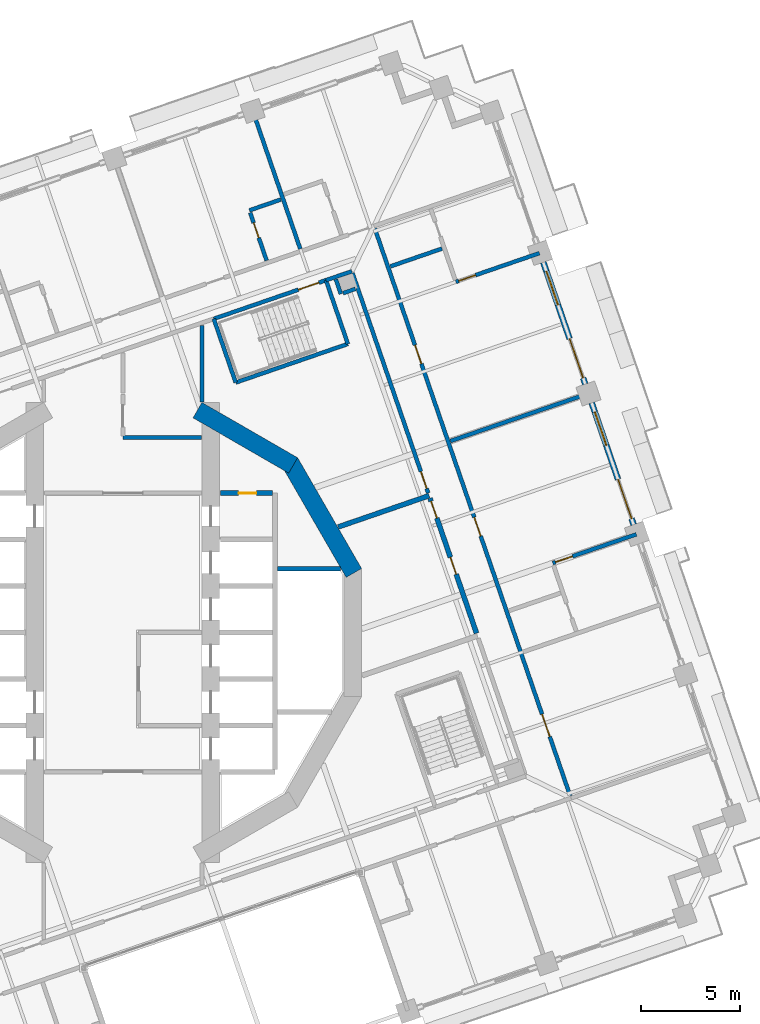
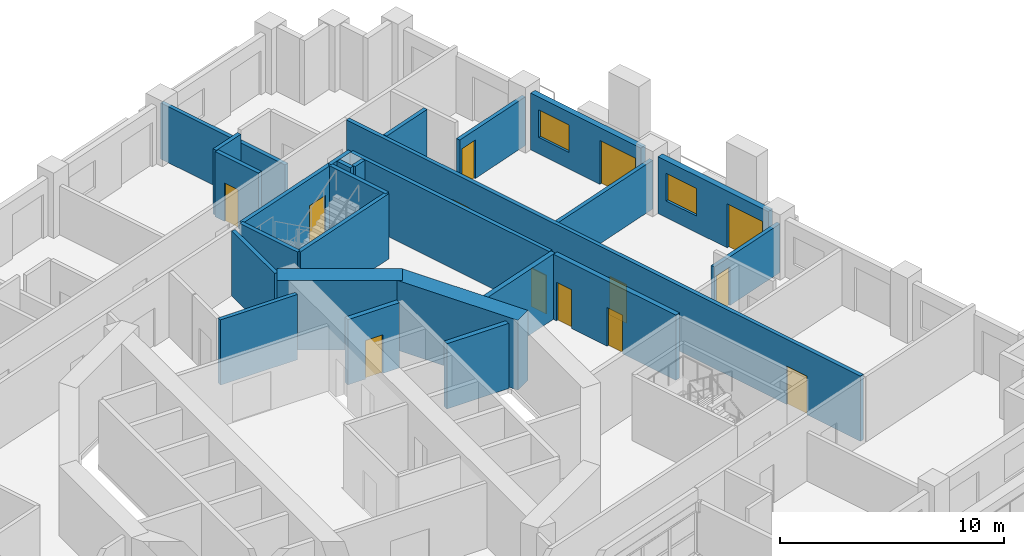
# One storey, part 13 of 22: 26 walls, 13 doors, 2 windows, 15 openings.
"""IFC4 building model written with IfcOpenShell, lengths in metres."""

import ifcopenshell
import ifcopenshell.guid

model = None  # the IFC model being written
_history = None  # IfcOwnerHistory: only IFC2X3 demands one
_inside = {}  # id of a spatial element -> (the spatial element, [elements in it])
_under = {}  # id of a project, library or spatial element -> (it, [spatial elements below it])
_declared = {}  # id of a project -> (the project, [libraries it declares])
_typed = {}  # id of a type object -> (the type object, [elements of that type])
_made_of = {}  # id of a material, layer set ... -> (it, [elements and type objects made of it])


def new_model(schema):
    """Start an empty IFC model of exactly this schema.

    Asked for "IFC4X3", IfcOpenShell would pick the latest addendum, in which some entities
    have other attributes; the version numbers below select the first issue.
    IFC2X3 requires an IfcOwnerHistory on every rooted entity: one is made here for all.
    """
    global model, _history
    if schema == "IFC4X3":
        model = ifcopenshell.file(schema_version=(4, 3, 0, 0))
    else:
        model = ifcopenshell.file(schema=schema)
    _inside.clear()
    _under.clear()
    _declared.clear()
    _typed.clear()
    _made_of.clear()
    _history = None
    if model.schema == "IFC2X3":
        org = make("IfcOrganization", Name="unknown")
        user = make(
            "IfcPersonAndOrganization",
            ThePerson=make("IfcPerson", FamilyName="unknown"),
            TheOrganization=org,
        )
        app = make(
            "IfcApplication",
            ApplicationDeveloper=org,
            Version="unknown",
            ApplicationFullName="unknown",
            ApplicationIdentifier="unknown",
        )
        _history = make(
            "IfcOwnerHistory",
            OwningUser=user,
            OwningApplication=app,
            ChangeAction="ADDED",
            CreationDate=0,
        )
    return model


def make(cls, **values):
    """One entity of the class cls with the attributes given. An attribute that is None is left unset."""
    return model.create_entity(
        cls, **{name: value for name, value in values.items() if value is not None}
    )


def rooted(cls, **values):
    """An entity with a GlobalId (a new one), such as an element, a storey or a relation."""
    return make(cls, GlobalId=ifcopenshell.guid.new(), OwnerHistory=_history, **values)


def si_unit(unit_type, name, prefix=None):
    """IfcSIUnit, for example si_unit("LENGTHUNIT", "METRE", prefix="MILLI")."""
    return make("IfcSIUnit", UnitType=unit_type, Prefix=prefix, Name=name)


def assignment(units):
    """IfcUnitAssignment: the units of a project."""
    return None if units is None else make("IfcUnitAssignment", Units=units)


def point(xyz):
    """IfcCartesianPoint."""
    return None if xyz is None else make("IfcCartesianPoint", Coordinates=xyz)


def direction(xyz):
    """IfcDirection."""
    return None if xyz is None else make("IfcDirection", DirectionRatios=xyz)


def frame(location, z_axis=None, x_axis=None):
    """IfcAxis2Placement3D, a coordinate frame: its origin and axes. An axis left out is left unset."""
    return make(
        "IfcAxis2Placement3D",
        Location=point(location),
        Axis=direction(z_axis),
        RefDirection=direction(x_axis),
    )


def frame_2d(location, x_axis=None):
    """IfcAxis2Placement2D, a coordinate frame in the plane: its origin and x axis."""
    return make(
        "IfcAxis2Placement2D", Location=point(location), RefDirection=direction(x_axis)
    )


def origin():
    """The frame at (0, 0, 0) with its axes left unset."""
    return frame((0.0, 0.0, 0.0))


def place(relative_to, where):
    """IfcLocalPlacement: puts the frame where relative to a parent placement (None: the world)."""
    return make(
        "IfcLocalPlacement", PlacementRelTo=relative_to, RelativePlacement=where
    )


def context(
    kind, dimensions, precision=None, world=None, true_north=None, identifier=None
):
    """IfcGeometricRepresentationContext, for example the 3D "Model" context."""
    return make(
        "IfcGeometricRepresentationContext",
        ContextIdentifier=identifier,
        ContextType=kind,
        CoordinateSpaceDimension=dimensions,
        Precision=precision,
        WorldCoordinateSystem=world,
        TrueNorth=true_north,
    )


def subcontext(parent, identifier, kind, view, scale=None):
    """IfcGeometricRepresentationSubContext, for example "Body" below "Model"."""
    return make(
        "IfcGeometricRepresentationSubContext",
        ContextIdentifier=identifier,
        ContextType=kind,
        ParentContext=parent,
        TargetScale=scale,
        TargetView=view,
    )


def project(units=None, contexts=None):
    """IfcProject with its units and contexts."""
    return rooted(
        "IfcProject",
        Name="project",
        RepresentationContexts=contexts,
        UnitsInContext=assignment(units),
    )


def spatial(cls, under=None, at=None, **own):
    """A site, building, storey or space (cls), placed at a placement, below another one or the project."""
    s = rooted(cls, ObjectPlacement=at, **own)
    if under is not None:
        _under.setdefault(under.id(), (under, []))[1].append(s)
    return s


def profile(cls, at=None, kind="AREA", **sizes):
    """A parametric profile (cls). Its sizes go by their IFC names, for example OverallWidth=200.0."""
    return make(cls, ProfileType=kind, Position=at, **sizes)


def rectangle(**sizes):
    """IfcRectangleProfileDef."""
    return profile("IfcRectangleProfileDef", **sizes)


def extrude(swept, where, along, depth):
    """IfcExtrudedAreaSolid: the profile swept, set in the frame where, extruded along a direction by depth."""
    return make(
        "IfcExtrudedAreaSolid",
        SweptArea=swept,
        Position=where,
        ExtrudedDirection=direction(along),
        Depth=depth,
    )


def shape(context_of_items, identifier, shape_type, items):
    """IfcShapeRepresentation: the items that make up one representation, for example the "Body"."""
    return make(
        "IfcShapeRepresentation",
        ContextOfItems=context_of_items,
        RepresentationIdentifier=identifier,
        RepresentationType=shape_type,
        Items=items,
    )


def material(Name=None, Category=None):
    """IfcMaterial."""
    return make("IfcMaterial", Name=Name, Category=Category)


def layer(
    of_material, thickness, ventilated=None, Name=None, Category=None, Priority=None
):
    """IfcMaterialLayer: one layer of a wall or slab, of a material (None: an air gap)."""
    return make(
        "IfcMaterialLayer",
        Material=of_material,
        LayerThickness=thickness,
        IsVentilated=ventilated,
        Name=Name,
        Category=Category,
        Priority=Priority,
    )


def layer_set(layers, Name=None):
    """IfcMaterialLayerSet."""
    return make("IfcMaterialLayerSet", MaterialLayers=layers, LayerSetName=Name)


def made_of(thing, what):
    """Note that an element or type object is made of a material, layer set ...; save() writes the relation."""
    if what is not None:
        _made_of.setdefault(what.id(), (what, []))[1].append(thing)
    return thing


def type_object(cls, material=None, **own):
    """A type object (cls), such as IfcWallType, which elements share."""
    return made_of(rooted(cls, **own), material)


def element(
    cls,
    number,
    at=None,
    inside=None,
    cuts=None,
    type_object=None,
    material=None,
    context=None,
    identifier="Body",
    shape_type=None,
    held_by="IfcProductDefinitionShape",
    body=None,
    shapes=None,
    **own,
):
    """One element of the class cls, such as IfcWall. Its Tag is "e" and its number.

    at: its placement. inside: the storey or other place that contains it. cuts: it is an
    opening in that element (IfcRelVoidsElement). A single representation is given by context,
    identifier, shape_type and body (its items); several are given by shapes. held_by: the class
    of the entity that holds the representations. save() writes the other relations.
    """
    e = rooted(cls, Tag="e%d" % number, ObjectPlacement=at, **own)
    if body is not None:
        shapes = [shape(context, identifier, shape_type, body)]
    if shapes is not None:
        e.Representation = make(held_by, Representations=shapes)
    if inside is not None:
        _inside.setdefault(inside.id(), (inside, []))[1].append(e)
    if cuts is not None:
        rooted(
            "IfcRelVoidsElement", RelatingBuildingElement=cuts, RelatedOpeningElement=e
        )
    if type_object is not None:
        _typed.setdefault(type_object.id(), (type_object, []))[1].append(e)
    return made_of(e, material)


def fill(opening, filler):
    """IfcRelFillsElement: the door or window that sits in an opening."""
    return rooted(
        "IfcRelFillsElement",
        RelatingOpeningElement=opening,
        RelatedBuildingElement=filler,
    )


def aggregate(whole, parts):
    """IfcRelAggregates: a whole, such as a stair, and the parts it consists of."""
    return rooted("IfcRelAggregates", RelatingObject=whole, RelatedObjects=parts)


def save(model, path):
    """Write the relations noted so far, then the file.

    IfcRelAggregates (storeys below a building ...), IfcRelContainedInSpatialStructure (elements
    in a storey), IfcRelDefinesByType, IfcRelAssociatesMaterial and IfcRelDeclares: one each for
    every whole, place, type object, material and project.
    """
    for whole, parts in _under.values():
        aggregate(whole, parts)
    for where, things in _inside.values():
        rooted(
            "IfcRelContainedInSpatialStructure",
            RelatedElements=things,
            RelatingStructure=where,
        )
    for kind, things in _typed.values():
        rooted("IfcRelDefinesByType", RelatedObjects=things, RelatingType=kind)
    for what, things in _made_of.values():
        rooted("IfcRelAssociatesMaterial", RelatedObjects=things, RelatingMaterial=what)
    for by, libraries in _declared.values():
        rooted("IfcRelDeclares", RelatingContext=by, RelatedDefinitions=libraries)
    model.write(path)


model = new_model("IFC4")

# Units and contexts
model_context = context("Model", 3, precision=1e-05, world=origin(), true_north=direction((0.0, 1.0)))
body_context = subcontext(model_context, "Body", "Model", "MODEL_VIEW")
ifc_project = project(units=[si_unit("LENGTHUNIT", "METRE"), si_unit("AREAUNIT", "SQUARE_METRE"), si_unit("VOLUMEUNIT", "CUBIC_METRE"), si_unit("PLANEANGLEUNIT", "RADIAN"), si_unit("MASSUNIT", "GRAM", prefix="KILO")], contexts=[model_context])

# Site, building, storey
site_placement = place(None, origin())
site = spatial("IfcSite", under=ifc_project, at=site_placement, CompositionType="ELEMENT")
building_placement = place(site_placement, origin())
building = spatial("IfcBuilding", under=site, at=building_placement, Name="Cantera Rosa Tower", CompositionType="ELEMENT")
storey_placement = place(building_placement, frame((0.0, 0.0, 104.10009765625)))
storey = spatial("IfcBuildingStorey", under=building, at=storey_placement, Name="L20", CompositionType="ELEMENT", Elevation=104.10009765625)

# Walls
ifc_material_1 = material(Name="Gypsum board partition")
ifc_layer_1 = layer(ifc_material_1, 0.199951171875)
ifc_layer_set_1 = layer_set([ifc_layer_1], Name="CORRIDOR WALL 200 H3550")
wall_type_1 = type_object("IfcWallType", Name="CORRIDOR WALL 200 H3550", PredefinedType="PARTITIONING", material=ifc_layer_set_1)
wall_1_placement = place(storey_placement, frame((0.0, 9.85009765625, 0.0), z_axis=(0.0, 0.0, 1.0), x_axis=(1.0, 0.0, 0.0)))
element("IfcWall", 1, at=wall_1_placement, inside=storey, type_object=wall_type_1, Name="CORRIDOR WALL L20-054", PredefinedType="PARTITIONING", context=body_context, shape_type="SweptSolid", body=[
    extrude(rectangle(XDim=3.969970703125, YDim=0.199951171875, at=frame_2d((1.98486328125, 0.0))), origin(), (0.0, 0.0, 1.0), 3.5498046875),
])
wall_2_placement = place(storey_placement, frame((11.583984375, 18.2666015625, 0.0), z_axis=(0.0, 0.0, 1.0), x_axis=(-0.945503834334, -0.325610963052, 0.0)))
element("IfcWall", 2, at=wall_2_placement, inside=storey, type_object=wall_type_1, Name="CORRIDOR WALL L20-086", PredefinedType="PARTITIONING", context=body_context, shape_type="SweptSolid", body=[
    extrude(rectangle(XDim=1.38720703125, YDim=0.199951171875, at=frame_2d((0.693603515625, 0.0))), origin(), (0.0, 0.0, 1.0), 3.5498046875),
])

# Wall, opening, door
wall_3_placement = place(storey_placement, frame((15.4453125, 7.052734375, 0.0), z_axis=(0.0, 0.0, 1.0), x_axis=(-0.325560709279, 0.945521139147, 0.0)))
wall_3 = element("IfcWall", 3, at=wall_3_placement, inside=storey, type_object=wall_type_1, Name="CORRIDOR WALL L20-095", PredefinedType="PARTITIONING", context=body_context, shape_type="SweptSolid", body=[
    extrude(rectangle(XDim=11.760009765625, YDim=0.199951171875, at=frame_2d((5.8798828125, 0.0))), origin(), (0.0, 0.0, 1.0), 3.5498046875),
])
opening_1_placement = place(wall_3_placement, frame((0.242431640625, 0.0, 0.0)))
opening_1 = element("IfcOpeningElement", 4, at=opening_1_placement, cuts=wall_3, Name="Opening L20-004", PredefinedType="OPENING", context=body_context, shape_type="SweptSolid", body=[
    extrude(rectangle(XDim=0.89990234375, YDim=2.10009765625, at=frame_2d((0.449951171875, 1.050048828125))), frame((0.0, 0.10986328125, 0.0), z_axis=(0.0, -1.0, 0.0), x_axis=(1.0, 0.0, 0.0)), (0.0, 0.0, 1.0), 0.219970703125),
])
ifc_material_2 = material(Name="Timber door leaf", Category="wood")
door_type_1 = type_object("IfcDoorType", Name="SERVICE DOOR 900x2100", OperationType="NOTDEFINED", PredefinedType="DOOR", material=ifc_material_2)
door_1_placement = place(opening_1_placement, origin())
door_1 = element("IfcDoor", 5, at=door_1_placement, inside=storey, type_object=door_type_1, Name="DOOR L20-004", OperationType="NOTDEFINED", OverallHeight=2.10009765625, OverallWidth=0.89990234375, PredefinedType="DOOR", context=body_context, shape_type="SweptSolid", body=[
    extrude(rectangle(XDim=0.89990234375, YDim=2.10009765625, at=frame_2d((0.449951171875, 1.050048828125))), frame((0.0, 0.02490234375, 0.0), z_axis=(0.0, -1.0, 0.0), x_axis=(1.0, 0.0, 0.0)), (0.0, 0.0, 1.0), 0.050048828125),
])
fill(opening_1, door_1)

# Wall, openings, doors
wall_4_placement = place(storey_placement, frame((22.623291015625, -8.264892578125, 0.0), z_axis=(0.0, 0.0, 1.0), x_axis=(-0.325567861352, 0.945518676524, 0.0)))
wall_4 = element("IfcWall", 6, at=wall_4_placement, inside=storey, type_object=wall_type_1, Name="CORRIDOR WALL L20-111", PredefinedType="PARTITIONING", context=body_context, shape_type="SweptSolid", body=[
    extrude(rectangle(XDim=30.360107421875, YDim=0.199951171875, at=frame_2d((15.18017578125, 0.0))), origin(), (0.0, 0.0, 1.0), 3.5498046875),
])
opening_2_placement = place(wall_4_placement, frame((3.169921875, 0.0, 0.0)))
opening_2 = element("IfcOpeningElement", 7, at=opening_2_placement, cuts=wall_4, Name="Opening L20-017", PredefinedType="OPENING", context=body_context, shape_type="SweptSolid", body=[
    extrude(rectangle(XDim=1.199951171875, YDim=2.10009765625, at=frame_2d((0.60009765625, 1.050048828125))), frame((0.0, 0.10986328125, 0.0), z_axis=(0.0, -1.0, 0.0), x_axis=(1.0, 0.0, 0.0)), (0.0, 0.0, 1.0), 0.219970703125),
])
opening_3_placement = place(wall_4_placement, frame((13.89990234375, 0.0, 0.0)))
opening_3 = element("IfcOpeningElement", 8, at=opening_3_placement, cuts=wall_4, Name="Opening L20-018", PredefinedType="OPENING", context=body_context, shape_type="SweptSolid", body=[
    extrude(rectangle(XDim=1.0, YDim=2.10009765625, at=frame_2d((0.5, 1.050048828125))), frame((0.0, 0.10986328125, 0.0), z_axis=(0.0, -1.0, 0.0), x_axis=(1.0, 0.0, 0.0)), (0.0, 0.0, 1.0), 0.219970703125),
])
opening_4_placement = place(wall_4_placement, frame((23.110107421875, 0.0, 0.0)))
opening_4 = element("IfcOpeningElement", 9, at=opening_4_placement, cuts=wall_4, Name="Opening L20-021", PredefinedType="OPENING", context=body_context, shape_type="SweptSolid", body=[
    extrude(rectangle(XDim=1.0, YDim=2.10009765625, at=frame_2d((0.5, 1.050048828125))), frame((0.0, 0.10986328125, 0.0), z_axis=(0.0, -1.0, 0.0), x_axis=(1.0, 0.0, 0.0)), (0.0, 0.0, 1.0), 0.219970703125),
])
ifc_material_3 = material(Name="Timber door leaf", Category="wood")
door_type_2 = type_object("IfcDoorType", Name="ENTRANCE DOOR 1000x2100", OperationType="NOTDEFINED", PredefinedType="DOOR", material=ifc_material_3)
door_2_placement = place(opening_3_placement, origin())
door_2 = element("IfcDoor", 10, at=door_2_placement, inside=storey, type_object=door_type_2, Name="DOOR L20-018", OperationType="NOTDEFINED", OverallHeight=2.10009765625, OverallWidth=1.0, PredefinedType="DOOR", context=body_context, shape_type="SweptSolid", body=[
    extrude(rectangle(XDim=1.0, YDim=2.10009765625, at=frame_2d((0.5, 1.050048828125))), frame((0.0, 0.02490234375, 0.0), z_axis=(0.0, -1.0, 0.0), x_axis=(1.0, 0.0, 0.0)), (0.0, 0.0, 1.0), 0.050048828125),
])
fill(opening_3, door_2)
door_3_placement = place(opening_4_placement, origin())
door_3 = element("IfcDoor", 11, at=door_3_placement, inside=storey, type_object=door_type_2, Name="DOOR L20-021", OperationType="NOTDEFINED", OverallHeight=2.10009765625, OverallWidth=1.0, PredefinedType="DOOR", context=body_context, shape_type="SweptSolid", body=[
    extrude(rectangle(XDim=1.0, YDim=2.10009765625, at=frame_2d((0.5, 1.050048828125))), frame((0.0, 0.02490234375, 0.0), z_axis=(0.0, -1.0, 0.0), x_axis=(1.0, 0.0, 0.0)), (0.0, 0.0, 1.0), 0.050048828125),
])
fill(opening_4, door_3)
ifc_material_4 = material(Name="Timber door leaf", Category="wood")
door_type_3 = type_object("IfcDoorType", Name="ROOM DOOR 1200x2100", OperationType="NOTDEFINED", PredefinedType="DOOR", material=ifc_material_4)
door_4_placement = place(opening_2_placement, origin())
door_4 = element("IfcDoor", 12, at=door_4_placement, inside=storey, type_object=door_type_3, Name="DOOR L20-017", OperationType="NOTDEFINED", OverallHeight=2.10009765625, OverallWidth=1.199951171875, PredefinedType="DOOR", context=body_context, shape_type="SweptSolid", body=[
    extrude(rectangle(XDim=1.199951171875, YDim=2.10009765625, at=frame_2d((0.60009765625, 1.050048828125))), frame((0.0, 0.02490234375, 0.0), z_axis=(0.0, -1.0, 0.0), x_axis=(1.0, 0.0, 0.0)), (0.0, 0.0, 1.0), 0.050048828125),
])
fill(opening_2, door_4)

# Wall, openings, window, door
ifc_material_5 = material(Name="Hollow clay masonry with cantera stone cladding", Category="masonry")
ifc_layer_2 = layer(ifc_material_5, 0.300048828125)
ifc_layer_set_2 = layer_set([ifc_layer_2], Name="EW-LOGGIA 300 H3090")
wall_type_2 = type_object("IfcWallType", Name="EW-LOGGIA 300 H3090", PredefinedType="SOLIDWALL", material=ifc_layer_set_2)
wall_5_placement = place(storey_placement, frame((25.833984375, 5.447509765625, 0.0), z_axis=(0.0, 0.0, 1.0), x_axis=(-0.325580990241, 0.945514155787, 0.0)))
wall_5 = element("IfcWall", 13, at=wall_5_placement, inside=storey, type_object=wall_type_2, Name="EN-L20-W03", PredefinedType="SOLIDWALL", context=body_context, shape_type="SweptSolid", body=[
    extrude(rectangle(XDim=6.52001953125, YDim=0.300048828125, at=frame_2d((3.260009765625, 0.0))), origin(), (0.0, 0.0, 1.0), 3.08984375),
])
opening_5_placement = place(wall_5_placement, frame((0.330078125, 0.0, 0.0)))
opening_5 = element("IfcOpeningElement", 14, at=opening_5_placement, cuts=wall_5, Name="Opening L20-TD05", PredefinedType="OPENING", context=body_context, shape_type="SweptSolid", body=[
    extrude(rectangle(XDim=2.10009765625, YDim=2.39990234375, at=frame_2d((1.050048828125, 1.199951171875))), frame((0.0, 0.159912109375, 0.0), z_axis=(0.0, -1.0, 0.0), x_axis=(1.0, 0.0, 0.0)), (0.0, 0.0, 1.0), 0.320068359375),
])
opening_6_placement = place(wall_5_placement, frame((4.239990234375, 0.0, 0.89990234375)))
opening_6 = element("IfcOpeningElement", 15, at=opening_6_placement, cuts=wall_5, Name="Opening L20-W06", PredefinedType="OPENING", context=body_context, shape_type="SweptSolid", body=[
    extrude(rectangle(XDim=1.800048828125, YDim=1.5, at=frame_2d((0.89990234375, 0.75))), frame((0.0, 0.159912109375, 0.0), z_axis=(0.0, -1.0, 0.0), x_axis=(1.0, 0.0, 0.0)), (0.0, 0.0, 1.0), 0.320068359375),
])
ifc_material_6 = material(Name="Aluminium frame with clear glass", Category="aluminium")
window_type = type_object("IfcWindowType", Name="Hotel room window 1800x1500", PartitioningType="DOUBLE_PANEL_VERTICAL", PredefinedType="WINDOW", material=ifc_material_6)
window_1_placement = place(opening_6_placement, origin())
window_1 = element("IfcWindow", 16, at=window_1_placement, inside=storey, type_object=window_type, Name="WINDOW L20-W06", OverallHeight=1.5, OverallWidth=1.800048828125, PartitioningType="SINGLE_PANEL", PredefinedType="WINDOW", context=body_context, shape_type="SweptSolid", body=[
    extrude(rectangle(XDim=1.800048828125, YDim=1.5, at=frame_2d((0.89990234375, 0.75))), frame((0.0, 0.030029296875, 0.0), z_axis=(0.0, -1.0, 0.0), x_axis=(1.0, 0.0, 0.0)), (0.0, 0.0, 1.0), 0.06005859375),
])
fill(opening_6, window_1)
ifc_material_7 = material(Name="Aluminium frame with clear glass", Category="aluminium")
door_type_4 = type_object("IfcDoorType", Name="TD-H 2100x2400", OperationType="NOTDEFINED", PredefinedType="DOOR", material=ifc_material_7)
door_5_placement = place(opening_5_placement, origin())
door_5 = element("IfcDoor", 17, at=door_5_placement, inside=storey, type_object=door_type_4, Name="LOGGIA DOOR L20-TD05", OperationType="SLIDING_TO_LEFT", OverallHeight=2.39990234375, OverallWidth=2.10009765625, PredefinedType="DOOR", context=body_context, shape_type="SweptSolid", body=[
    extrude(rectangle(XDim=2.10009765625, YDim=2.39990234375, at=frame_2d((1.050048828125, 1.199951171875))), frame((0.0, 0.02490234375, 0.0), z_axis=(0.0, -1.0, 0.0), x_axis=(1.0, 0.0, 0.0)), (0.0, 0.0, 1.0), 0.050048828125),
])
fill(opening_5, door_5)

wall_6_placement = place(storey_placement, frame((23.3857421875, 12.557861328125, 0.0), z_axis=(0.0, 0.0, 1.0), x_axis=(-0.325580990241, 0.945514155787, 0.0)))
wall_6 = element("IfcWall", 18, at=wall_6_placement, inside=storey, type_object=wall_type_2, Name="EN-L20-W04", PredefinedType="SOLIDWALL", context=body_context, shape_type="SweptSolid", body=[
    extrude(rectangle(XDim=6.52001953125, YDim=0.300048828125, at=frame_2d((3.260009765625, 0.0))), origin(), (0.0, 0.0, 1.0), 3.08984375),
])
opening_7_placement = place(wall_6_placement, frame((0.330078125, 0.0, 0.0)))
opening_7 = element("IfcOpeningElement", 19, at=opening_7_placement, cuts=wall_6, Name="Opening L20-TD07", PredefinedType="OPENING", context=body_context, shape_type="SweptSolid", body=[
    extrude(rectangle(XDim=2.10009765625, YDim=2.39990234375, at=frame_2d((1.050048828125, 1.199951171875))), frame((0.0, 0.159912109375, 0.0), z_axis=(0.0, -1.0, 0.0), x_axis=(1.0, 0.0, 0.0)), (0.0, 0.0, 1.0), 0.320068359375),
])
opening_8_placement = place(wall_6_placement, frame((4.239990234375, 0.0, 0.89990234375)))
opening_8 = element("IfcOpeningElement", 20, at=opening_8_placement, cuts=wall_6, Name="Opening L20-W08", PredefinedType="OPENING", context=body_context, shape_type="SweptSolid", body=[
    extrude(rectangle(XDim=1.800048828125, YDim=1.5, at=frame_2d((0.89990234375, 0.75))), frame((0.0, 0.159912109375, 0.0), z_axis=(0.0, -1.0, 0.0), x_axis=(1.0, 0.0, 0.0)), (0.0, 0.0, 1.0), 0.320068359375),
])
window_2_placement = place(opening_8_placement, origin())
window_2 = element("IfcWindow", 21, at=window_2_placement, inside=storey, type_object=window_type, Name="WINDOW L20-W08", OverallHeight=1.5, OverallWidth=1.800048828125, PartitioningType="SINGLE_PANEL", PredefinedType="WINDOW", context=body_context, shape_type="SweptSolid", body=[
    extrude(rectangle(XDim=1.800048828125, YDim=1.5, at=frame_2d((0.89990234375, 0.75))), frame((0.0, 0.030029296875, 0.0), z_axis=(0.0, -1.0, 0.0), x_axis=(1.0, 0.0, 0.0)), (0.0, 0.0, 1.0), 0.06005859375),
])
fill(opening_8, window_2)
door_6_placement = place(opening_7_placement, origin())
door_6 = element("IfcDoor", 22, at=door_6_placement, inside=storey, type_object=door_type_4, Name="LOGGIA DOOR L20-TD07", OperationType="SLIDING_TO_LEFT", OverallHeight=2.39990234375, OverallWidth=2.10009765625, PredefinedType="DOOR", context=body_context, shape_type="SweptSolid", body=[
    extrude(rectangle(XDim=2.10009765625, YDim=2.39990234375, at=frame_2d((1.050048828125, 1.199951171875))), frame((0.0, 0.02490234375, 0.0), z_axis=(0.0, -1.0, 0.0), x_axis=(1.0, 0.0, 0.0)), (0.0, 0.0, 1.0), 0.050048828125),
])
fill(opening_7, door_6)

# Wall, opening, door
ifc_material_8 = material(Name="Gypsum board partition")
ifc_layer_3 = layer(ifc_material_8, 0.199951171875)
ifc_layer_set_3 = layer_set([ifc_layer_3], Name="PARTITION 200 H2650")
wall_type_3 = type_object("IfcWallType", Name="PARTITION 200 H2650", PredefinedType="PARTITIONING", material=ifc_layer_set_3)
wall_7_placement = place(storey_placement, frame((21.07177734375, 19.185546875, 0.0), z_axis=(0.0, 0.0, 1.0), x_axis=(-0.945518569568, -0.325568171973, 0.0)))
wall_7 = element("IfcWall", 23, at=wall_7_placement, inside=storey, type_object=wall_type_3, Name="PARTITION L20-109", PredefinedType="PARTITIONING", context=body_context, shape_type="SweptSolid", body=[
    extrude(rectangle(XDim=4.47021484375, YDim=0.199951171875, at=frame_2d((2.235107421875, 0.0))), origin(), (0.0, 0.0, 1.0), 2.64990234375),
])
opening_9_placement = place(wall_7_placement, frame((3.419921875, 0.0, 0.0)))
opening_9 = element("IfcOpeningElement", 24, at=opening_9_placement, cuts=wall_7, Name="Opening L20-022", PredefinedType="OPENING", context=body_context, shape_type="SweptSolid", body=[
    extrude(rectangle(XDim=0.89990234375, YDim=2.10009765625, at=frame_2d((0.449951171875, 1.050048828125))), frame((0.0, 0.10986328125, 0.0), z_axis=(0.0, -1.0, 0.0), x_axis=(1.0, 0.0, 0.0)), (0.0, 0.0, 1.0), 0.219970703125),
])
ifc_material_9 = material(Name="Timber door leaf", Category="wood")
door_type_5 = type_object("IfcDoorType", Name="ROOM DOOR 900x2100", OperationType="NOTDEFINED", PredefinedType="DOOR", material=ifc_material_9)
door_7_placement = place(opening_9_placement, origin())
door_7 = element("IfcDoor", 25, at=door_7_placement, inside=storey, type_object=door_type_5, Name="DOOR L20-022", OperationType="NOTDEFINED", OverallHeight=2.10009765625, OverallWidth=0.89990234375, PredefinedType="DOOR", context=body_context, shape_type="SweptSolid", body=[
    extrude(rectangle(XDim=0.89990234375, YDim=2.10009765625, at=frame_2d((0.449951171875, 1.050048828125))), frame((0.0, 0.02490234375, 0.0), z_axis=(0.0, -1.0, 0.0), x_axis=(1.0, 0.0, 0.0)), (0.0, 0.0, 1.0), 0.050048828125),
])
fill(opening_9, door_7)

wall_8_placement = place(storey_placement, frame((21.741943359375, 3.509765625, 0.0), z_axis=(0.0, 0.0, 1.0), x_axis=(0.945518569568, 0.325568171973, 0.0)))
wall_8 = element("IfcWall", 26, at=wall_8_placement, inside=storey, type_object=wall_type_3, Name="PARTITION L20-110", PredefinedType="PARTITIONING", context=body_context, shape_type="SweptSolid", body=[
    extrude(rectangle(XDim=4.47021484375, YDim=0.199951171875, at=frame_2d((2.235107421875, 0.0))), origin(), (0.0, 0.0, 1.0), 2.64990234375),
])
opening_10_placement = place(wall_8_placement, frame((0.14990234375, 0.0, 0.0)))
opening_10 = element("IfcOpeningElement", 27, at=opening_10_placement, cuts=wall_8, Name="Opening L20-019", PredefinedType="OPENING", context=body_context, shape_type="SweptSolid", body=[
    extrude(rectangle(XDim=0.89990234375, YDim=2.10009765625, at=frame_2d((0.449951171875, 1.050048828125))), frame((0.0, 0.10986328125, 0.0), z_axis=(0.0, -1.0, 0.0), x_axis=(1.0, 0.0, 0.0)), (0.0, 0.0, 1.0), 0.219970703125),
])
door_8_placement = place(opening_10_placement, origin())
door_8 = element("IfcDoor", 28, at=door_8_placement, inside=storey, type_object=door_type_5, Name="DOOR L20-019", OperationType="NOTDEFINED", OverallHeight=2.10009765625, OverallWidth=0.89990234375, PredefinedType="DOOR", context=body_context, shape_type="SweptSolid", body=[
    extrude(rectangle(XDim=0.89990234375, YDim=2.10009765625, at=frame_2d((0.449951171875, 1.050048828125))), frame((0.0, 0.02490234375, 0.0), z_axis=(0.0, -1.0, 0.0), x_axis=(1.0, 0.0, 0.0)), (0.0, 0.0, 1.0), 0.050048828125),
])
fill(opening_10, door_8)

# Walls
ifc_material_10 = material(Name="Gypsum board partition")
ifc_layer_4 = layer(ifc_material_10, 0.199951171875)
ifc_layer_set_4 = layer_set([ifc_layer_4], Name="PARTITION 200 H3550")
wall_type_4 = type_object("IfcWallType", Name="PARTITION 200 H3550", PredefinedType="PARTITIONING", material=ifc_layer_set_4)
wall_9_placement = place(storey_placement, frame((4.0, 11.667236328125, 0.0), z_axis=(0.0, 0.0, 1.0), x_axis=(0.0, 1.0, 0.0)))
element("IfcWall", 29, at=wall_9_placement, inside=storey, type_object=wall_type_4, Name="PARTITION L20-063", PredefinedType="PARTITIONING", context=body_context, shape_type="SweptSolid", body=[
    extrude(rectangle(XDim=3.847900390625, YDim=0.199951171875, at=frame_2d((1.923828125, 0.0))), origin(), (0.0, 0.0, 1.0), 3.5498046875),
])
wall_10_placement = place(storey_placement, frame((6.39892578125, 21.34619140625, 0.0), z_axis=(0.0, 0.0, 1.0), x_axis=(0.945482578037, 0.3256726802, 0.0)))
element("IfcWall", 30, at=wall_10_placement, inside=storey, type_object=wall_type_4, Name="PARTITION L20-071", PredefinedType="PARTITIONING", context=body_context, shape_type="SweptSolid", body=[
    extrude(rectangle(XDim=1.679931640625, YDim=0.199951171875, at=frame_2d((0.83984375, 0.0))), origin(), (0.0, 0.0, 1.0), 3.5498046875),
])

# Wall, opening, door
wall_11_placement = place(storey_placement, frame((7.271484375, 18.812255859375, 0.0), z_axis=(0.0, 0.0, 1.0), x_axis=(-0.325567448058, 0.945518818832, 0.0)))
wall_11 = element("IfcWall", 31, at=wall_11_placement, inside=storey, type_object=wall_type_4, Name="PARTITION L20-073", PredefinedType="PARTITIONING", context=body_context, shape_type="SweptSolid", body=[
    extrude(rectangle(XDim=2.56005859375, YDim=0.199951171875, at=frame_2d((1.280029296875, 0.0))), origin(), (0.0, 0.0, 1.0), 3.5498046875),
])
opening_11_placement = place(wall_11_placement, frame((1.216064453125, 0.0, 0.0)))
opening_11 = element("IfcOpeningElement", 32, at=opening_11_placement, cuts=wall_11, Name="Opening L20-025", PredefinedType="OPENING", context=body_context, shape_type="SweptSolid", body=[
    extrude(rectangle(XDim=0.800048828125, YDim=2.10009765625, at=frame_2d((0.39990234375, 1.050048828125))), frame((0.0, 0.10986328125, 0.0), z_axis=(0.0, -1.0, 0.0), x_axis=(1.0, 0.0, 0.0)), (0.0, 0.0, 1.0), 0.219970703125),
])
ifc_material_11 = material(Name="Timber door leaf", Category="wood")
door_type_6 = type_object("IfcDoorType", Name="BATHROOM DOOR 800x2100", OperationType="NOTDEFINED", PredefinedType="DOOR", material=ifc_material_11)
door_9_placement = place(opening_11_placement, origin())
door_9 = element("IfcDoor", 33, at=door_9_placement, inside=storey, type_object=door_type_6, Name="DOOR L20-025", OperationType="NOTDEFINED", OverallHeight=2.10009765625, OverallWidth=0.800048828125, PredefinedType="DOOR", context=body_context, shape_type="SweptSolid", body=[
    extrude(rectangle(XDim=0.800048828125, YDim=2.10009765625, at=frame_2d((0.39990234375, 1.050048828125))), frame((0.0, 0.02490234375, 0.0), z_axis=(0.0, -1.0, 0.0), x_axis=(1.0, 0.0, 0.0)), (0.0, 0.0, 1.0), 0.050048828125),
])
fill(opening_11, door_9)

# Walls
wall_12_placement = place(storey_placement, frame((10.772216796875, 17.860107421875, 0.0), z_axis=(0.0, 0.0, 1.0), x_axis=(0.325508352099, -0.945539165087, 0.0)))
element("IfcWall", 34, at=wall_12_placement, inside=storey, type_object=wall_type_4, Name="PARTITION L20-083", PredefinedType="PARTITIONING", context=body_context, shape_type="SweptSolid", body=[
    extrude(rectangle(XDim=0.780029296875, YDim=0.199951171875, at=frame_2d((0.39013671875, 0.0))), origin(), (0.0, 0.0, 1.0), 3.5498046875),
])
wall_13_placement = place(storey_placement, frame((11.1396484375, 17.16162109375, 0.0), z_axis=(0.0, 0.0, 1.0), x_axis=(0.945416211277, 0.32586529035, 0.0)))
element("IfcWall", 35, at=wall_13_placement, inside=storey, type_object=wall_type_4, Name="PARTITION L20-084", PredefinedType="PARTITIONING", context=body_context, shape_type="SweptSolid", body=[
    extrude(rectangle(XDim=0.66015625, YDim=0.199951171875, at=frame_2d((0.330078125, 0.0))), origin(), (0.0, 0.0, 1.0), 3.5498046875),
])
wall_14_placement = place(storey_placement, frame((16.139404296875, 19.412109375, 0.0), z_axis=(0.0, 0.0, 1.0), x_axis=(-0.945505446379, -0.325606281984, 0.0)))
element("IfcWall", 36, at=wall_14_placement, inside=storey, type_object=wall_type_4, Name="PARTITION L20-097", PredefinedType="PARTITIONING", context=body_context, shape_type="SweptSolid", body=[
    extrude(rectangle(XDim=2.760009765625, YDim=0.199951171875, at=frame_2d((1.3798828125, 0.0))), origin(), (0.0, 0.0, 1.0), 3.5498046875),
])
ifc_material_12 = material(Name="Gypsum board partition")
ifc_layer_5 = layer(ifc_material_12, 0.199951171875)
ifc_layer_set_5 = layer_set([ifc_layer_5], Name="PARTY WALL 200 H2650")
wall_type_5 = type_object("IfcWallType", Name="PARTY WALL 200 H2650", PredefinedType="PARTITIONING", material=ifc_layer_set_5)
wall_15_placement = place(storey_placement, frame((16.570556640625, 9.682373046875, 0.0), z_axis=(0.0, 0.0, 1.0), x_axis=(0.945521494984, 0.325559675824, 0.0)))
element("IfcWall", 37, at=wall_15_placement, inside=storey, type_object=wall_type_5, Name="PARTY WALL L20-098", PredefinedType="PARTITIONING", context=body_context, shape_type="SweptSolid", body=[
    extrude(rectangle(XDim=7.349853515625, YDim=0.199951171875, at=frame_2d((3.6748046875, 0.0))), origin(), (0.0, 0.0, 1.0), 2.64990234375),
])
ifc_material_13 = material(Name="Gypsum board partition")
ifc_layer_6 = layer(ifc_material_13, 0.199951171875)
ifc_layer_set_6 = layer_set([ifc_layer_6], Name="PARTY WALL 200 H3050")
wall_type_6 = type_object("IfcWallType", Name="PARTY WALL 200 H3050", PredefinedType="PARTITIONING", material=ifc_layer_set_6)
wall_16_placement = place(storey_placement, frame((6.58056640625, 26.347900390625, 0.0), z_axis=(0.0, 0.0, 1.0), x_axis=(0.325549451152, -0.945525015457, 0.0)))
element("IfcWall", 38, at=wall_16_placement, inside=storey, type_object=wall_type_6, Name="PARTY WALL L20-072", PredefinedType="PARTITIONING", context=body_context, shape_type="SweptSolid", body=[
    extrude(rectangle(XDim=7.35009765625, YDim=0.199951171875, at=frame_2d((3.675048828125, 0.0))), origin(), (0.0, 0.0, 1.0), 3.0498046875),
])
ifc_material_14 = material(Name="Concrete C70/85", Category="concrete")
ifc_layer_7 = layer(ifc_material_14, 0.89990234375)
ifc_layer_set_7 = layer_set([ifc_layer_7], Name="RC CORE WALL 900 C70/85")
wall_type_7 = type_object("IfcWallType", Name="RC CORE WALL 900 C70/85", PredefinedType="SHEAR", material=ifc_layer_set_7)
wall_17_placement = place(storey_placement, frame((3.77490234375, 11.242919921875, 0.0), z_axis=(0.0, 0.0, 1.0), x_axis=(0.866026961591, -0.49999730179, 0.0)))
element("IfcWall", 39, at=wall_17_placement, inside=storey, type_object=wall_type_7, Name="CW-E1 L20", PredefinedType="SHEAR", context=body_context, shape_type="SweptSolid", body=[
    extrude(rectangle(XDim=5.58740234375, YDim=0.89990234375, at=frame_2d((2.793701171875, 0.0))), origin(), (0.0, 0.0, 1.0), 3.7998046875),
])
wall_18_placement = place(storey_placement, frame((8.44921875, 8.61376953125, 0.0), z_axis=(0.0, 0.0, 1.0), x_axis=(0.499990282633, -0.866031014036, 0.0)))
element("IfcWall", 40, at=wall_18_placement, inside=storey, type_object=wall_type_7, Name="CW-E2 L20", PredefinedType="SHEAR", context=body_context, shape_type="SweptSolid", body=[
    extrude(rectangle(XDim=6.470458984375, YDim=0.89990234375, at=frame_2d((3.2353515625, 0.0))), origin(), (0.0, 0.0, 1.0), 3.7998046875),
])
ifc_material_15 = material(Name="Masonry blockwork", Category="masonry")
ifc_layer_8 = layer(ifc_material_15, 0.25)
ifc_layer_set_8 = layer_set([ifc_layer_8], Name="SHAFT WALL 250 H3550")
wall_type_8 = type_object("IfcWallType", Name="SHAFT WALL 250 H3550", PredefinedType="SOLIDWALL", material=ifc_layer_set_8)
wall_19_placement = place(storey_placement, frame((7.824951171875, 3.2236328125, 0.0), z_axis=(0.0, 0.0, 1.0), x_axis=(1.0, 0.0, 0.0)))
element("IfcWall", 41, at=wall_19_placement, inside=storey, type_object=wall_type_8, Name="SHAFT WALL L20-078", PredefinedType="SOLIDWALL", context=body_context, shape_type="SweptSolid", body=[
    extrude(rectangle(XDim=3.181884765625, YDim=0.25, at=frame_2d((1.5908203125, 0.0))), origin(), (0.0, 0.0, 1.0), 3.5498046875),
])

# Wall, opening, door
wall_20_placement = place(storey_placement, frame((7.580078125, 7.050048828125, 0.0), z_axis=(0.0, 0.0, 1.0), x_axis=(-1.0, 0.0, 0.0)))
wall_20 = element("IfcWall", 42, at=wall_20_placement, inside=storey, type_object=wall_type_8, Name="SHAFT WALL L20-080", PredefinedType="SOLIDWALL", context=body_context, shape_type="SweptSolid", body=[
    extrude(rectangle(XDim=2.650146484375, YDim=0.25, at=frame_2d((1.3251953125, 0.0))), origin(), (0.0, 0.0, 1.0), 3.5498046875),
])
opening_12_placement = place(wall_20_placement, frame((0.830078125, 0.0, 0.0)))
opening_12 = element("IfcOpeningElement", 43, at=opening_12_placement, cuts=wall_20, Name="Opening L20-050", PredefinedType="OPENING", context=body_context, shape_type="SweptSolid", body=[
    extrude(rectangle(XDim=0.89990234375, YDim=2.10009765625, at=frame_2d((0.449951171875, 1.050048828125))), frame((0.0, 0.135009765625, 0.0), z_axis=(0.0, -1.0, 0.0), x_axis=(1.0, 0.0, 0.0)), (0.0, 0.0, 1.0), 0.27001953125),
])
door_10_placement = place(opening_12_placement, origin())
door_10 = element("IfcDoor", 44, at=door_10_placement, inside=storey, type_object=door_type_1, Name="RISER DOOR L20-050", OperationType="NOTDEFINED", OverallHeight=2.10009765625, OverallWidth=0.89990234375, PredefinedType="DOOR", context=body_context, shape_type="SweptSolid", body=[
    extrude(rectangle(XDim=0.89990234375, YDim=2.10009765625, at=frame_2d((0.449951171875, 1.050048828125))), frame((0.0, 0.02490234375, 0.0), z_axis=(0.0, -1.0, 0.0), x_axis=(1.0, 0.0, 0.0)), (0.0, 0.0, 1.0), 0.050048828125),
])
fill(opening_12, door_10)

# Wall
wall_21_placement = place(storey_placement, frame((15.490966796875, 6.92041015625, 0.0), z_axis=(0.0, 0.0, 1.0), x_axis=(-0.945523393756, -0.325554161177, 0.0)))
element("IfcWall", 45, at=wall_21_placement, inside=storey, type_object=wall_type_8, Name="SHAFT WALL L20-094", PredefinedType="SOLIDWALL", context=body_context, shape_type="SweptSolid", body=[
    extrude(rectangle(XDim=4.861083984375, YDim=0.25, at=frame_2d((2.4306640625, 0.0))), origin(), (0.0, 0.0, 1.0), 3.5498046875),
])

# Wall, openings, doors
wall_22_placement = place(storey_placement, frame((17.88720703125, -0.03857421875, 0.0), z_axis=(0.0, 0.0, 1.0), x_axis=(-0.325565472339, 0.945519499122, 0.0)))
wall_22 = element("IfcWall", 46, at=wall_22_placement, inside=storey, type_object=wall_type_8, Name="SHAFT WALL L20-102", PredefinedType="SOLIDWALL", context=body_context, shape_type="SweptSolid", body=[
    extrude(rectangle(XDim=7.219970703125, YDim=0.25, at=frame_2d((3.60986328125, 0.0))), origin(), (0.0, 0.0, 1.0), 3.5498046875),
])
opening_13_placement = place(wall_22_placement, frame((6.159912109375, 0.0, 0.0)))
opening_13 = element("IfcOpeningElement", 47, at=opening_13_placement, cuts=wall_22, Name="Opening L20-009", PredefinedType="OPENING", context=body_context, shape_type="SweptSolid", body=[
    extrude(rectangle(XDim=0.89990234375, YDim=2.10009765625, at=frame_2d((0.449951171875, 1.050048828125))), frame((0.0, 0.135009765625, 0.0), z_axis=(0.0, -1.0, 0.0), x_axis=(1.0, 0.0, 0.0)), (0.0, 0.0, 1.0), 0.27001953125),
])
opening_14_placement = place(wall_22_placement, frame((3.159912109375, 0.0, 0.0)))
opening_14 = element("IfcOpeningElement", 48, at=opening_14_placement, cuts=wall_22, Name="Opening L20-049", PredefinedType="OPENING", context=body_context, shape_type="SweptSolid", body=[
    extrude(rectangle(XDim=0.89990234375, YDim=2.10009765625, at=frame_2d((0.449951171875, 1.050048828125))), frame((0.0, 0.135009765625, 0.0), z_axis=(0.0, -1.0, 0.0), x_axis=(1.0, 0.0, 0.0)), (0.0, 0.0, 1.0), 0.27001953125),
])
door_11_placement = place(opening_13_placement, origin())
door_11 = element("IfcDoor", 49, at=door_11_placement, inside=storey, type_object=door_type_1, Name="RISER DOOR L20-009", OperationType="NOTDEFINED", OverallHeight=2.10009765625, OverallWidth=0.89990234375, PredefinedType="DOOR", context=body_context, shape_type="SweptSolid", body=[
    extrude(rectangle(XDim=0.89990234375, YDim=2.10009765625, at=frame_2d((0.449951171875, 1.050048828125))), frame((0.0, 0.02490234375, 0.0), z_axis=(0.0, -1.0, 0.0), x_axis=(1.0, 0.0, 0.0)), (0.0, 0.0, 1.0), 0.050048828125),
])
fill(opening_13, door_11)
door_12_placement = place(opening_14_placement, origin())
door_12 = element("IfcDoor", 50, at=door_12_placement, inside=storey, type_object=door_type_1, Name="RISER DOOR L20-049", OperationType="NOTDEFINED", OverallHeight=2.10009765625, OverallWidth=0.89990234375, PredefinedType="DOOR", context=body_context, shape_type="SweptSolid", body=[
    extrude(rectangle(XDim=0.89990234375, YDim=2.10009765625, at=frame_2d((0.449951171875, 1.050048828125))), frame((0.0, 0.02490234375, 0.0), z_axis=(0.0, -1.0, 0.0), x_axis=(1.0, 0.0, 0.0)), (0.0, 0.0, 1.0), 0.050048828125),
])
fill(opening_14, door_12)

# Wall
ifc_material_16 = material(Name="Concrete C50/60", Category="concrete")
ifc_layer_9 = layer(ifc_material_16, 0.199951171875)
ifc_layer_set_9 = layer_set([ifc_layer_9], Name="STAIR WALL 200 H3550")
wall_type_9 = type_object("IfcWallType", Name="STAIR WALL 200 H3550", PredefinedType="SOLIDWALL", material=ifc_layer_set_9)
wall_23_placement = place(storey_placement, frame((4.599365234375, 15.861572265625, 0.0), z_axis=(0.0, 0.0, 1.0), x_axis=(0.325562292844, -0.945520593894, 0.0)))
element("IfcWall", 51, at=wall_23_placement, inside=storey, type_object=wall_type_9, Name="STAIR WALL L20-065", PredefinedType="SOLIDWALL", context=body_context, shape_type="SweptSolid", body=[
    extrude(rectangle(XDim=3.407470703125, YDim=0.199951171875, at=frame_2d((1.70361328125, 0.0))), origin(), (0.0, 0.0, 1.0), 3.5498046875),
])

# Wall, opening, door
wall_24_placement = place(storey_placement, frame((4.599365234375, 15.861572265625, 0.0), z_axis=(0.0, 0.0, 1.0), x_axis=(0.945520338581, 0.325563034341, 0.0)))
wall_24 = element("IfcWall", 52, at=wall_24_placement, inside=storey, type_object=wall_type_9, Name="STAIR WALL L20-066", PredefinedType="SOLIDWALL", context=body_context, shape_type="SweptSolid", body=[
    extrude(rectangle(XDim=6.0, YDim=0.199951171875, at=frame_2d((3.0, 0.0))), origin(), (0.0, 0.0, 1.0), 3.5498046875),
])
opening_15_placement = place(wall_24_placement, frame((4.52490234375, 0.0, 0.0)))
opening_15 = element("IfcOpeningElement", 53, at=opening_15_placement, cuts=wall_24, Name="Opening L20-001", PredefinedType="OPENING", context=body_context, shape_type="SweptSolid", body=[
    extrude(rectangle(XDim=1.10009765625, YDim=2.10009765625, at=frame_2d((0.550048828125, 1.050048828125))), frame((0.0, 0.10986328125, 0.0), z_axis=(0.0, -1.0, 0.0), x_axis=(1.0, 0.0, 0.0)), (0.0, 0.0, 1.0), 0.219970703125),
])
ifc_material_17 = material(Name="Steel S355J2 (EN 10025-2)", Category="steel")
door_type_7 = type_object("IfcDoorType", Name="STAIR DOOR 1100x2100", OperationType="NOTDEFINED", PredefinedType="DOOR", material=ifc_material_17)
door_13_placement = place(opening_15_placement, origin())
door_13 = element("IfcDoor", 54, at=door_13_placement, inside=storey, type_object=door_type_7, Name="DOOR L20-001", OperationType="NOTDEFINED", OverallHeight=2.10009765625, OverallWidth=1.10009765625, PredefinedType="DOOR", context=body_context, shape_type="SweptSolid", body=[
    extrude(rectangle(XDim=1.10009765625, YDim=2.10009765625, at=frame_2d((0.550048828125, 1.050048828125))), frame((0.0, 0.02490234375, 0.0), z_axis=(0.0, -1.0, 0.0), x_axis=(1.0, 0.0, 0.0)), (0.0, 0.0, 1.0), 0.050048828125),
])
fill(opening_15, door_13)

# Walls
wall_25_placement = place(storey_placement, frame((5.708740234375, 12.6396484375, 0.0), z_axis=(0.0, 0.0, 1.0), x_axis=(0.945520338581, 0.325563034341, 0.0)))
element("IfcWall", 55, at=wall_25_placement, inside=storey, type_object=wall_type_9, Name="STAIR WALL L20-070", PredefinedType="SOLIDWALL", context=body_context, shape_type="SweptSolid", body=[
    extrude(rectangle(XDim=6.0, YDim=0.199951171875, at=frame_2d((3.0, 0.0))), origin(), (0.0, 0.0, 1.0), 3.5498046875),
])
wall_26_placement = place(storey_placement, frame((11.3818359375, 14.593017578125, 0.0), z_axis=(0.0, 0.0, 1.0), x_axis=(-0.325562292844, 0.945520593894, 0.0)))
element("IfcWall", 56, at=wall_26_placement, inside=storey, type_object=wall_type_9, Name="STAIR WALL L20-085", PredefinedType="SOLIDWALL", context=body_context, shape_type="SweptSolid", body=[
    extrude(rectangle(XDim=3.407470703125, YDim=0.199951171875, at=frame_2d((1.70361328125, 0.0))), origin(), (0.0, 0.0, 1.0), 3.5498046875),
])

save(model, "model.ifc")
